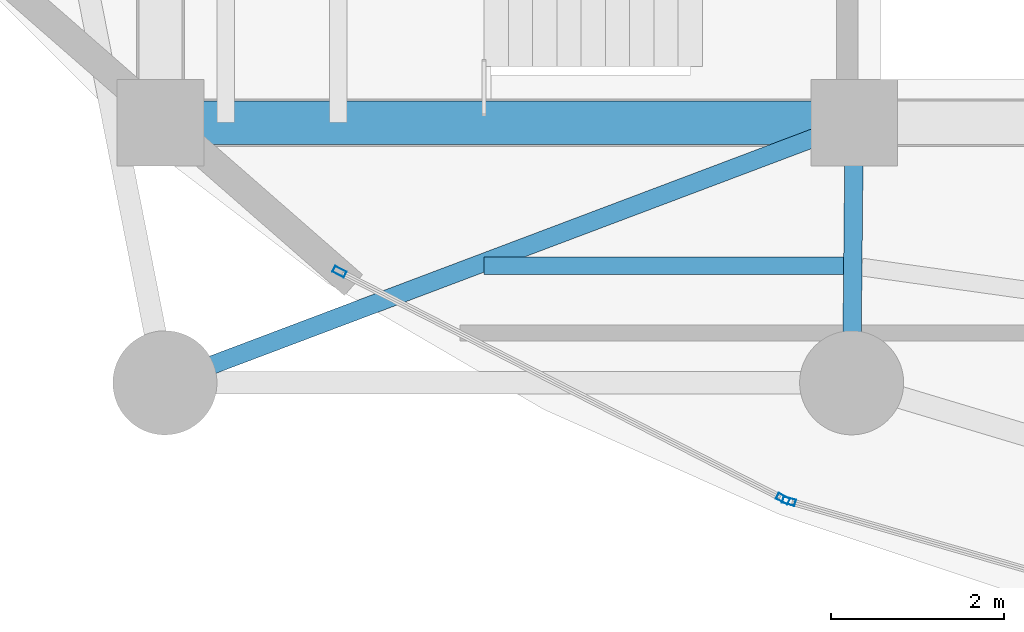
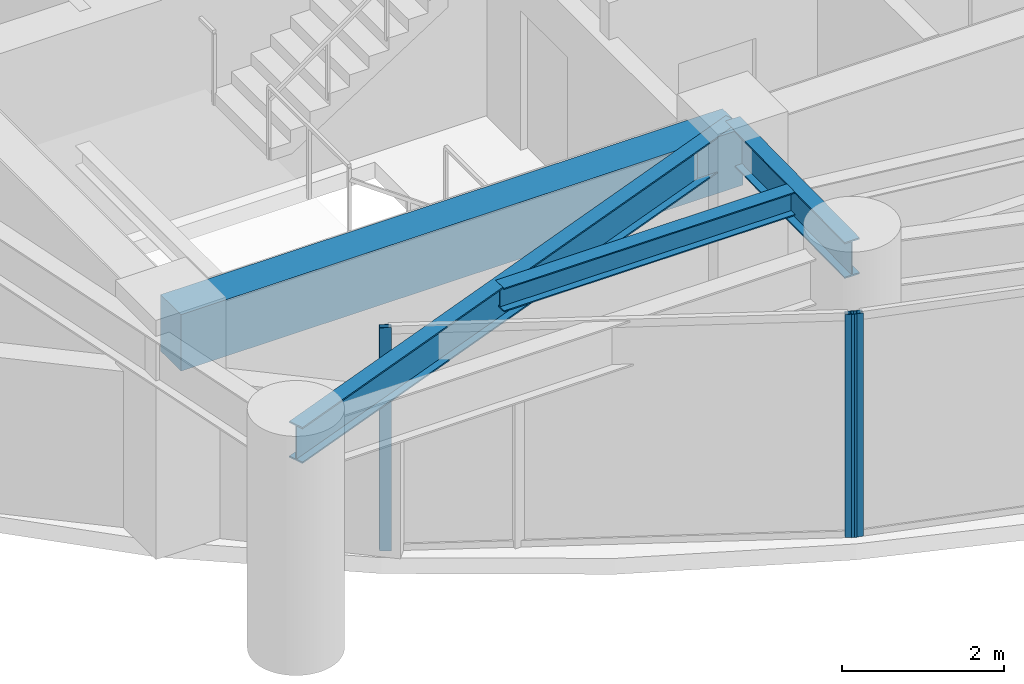
# One storey, part 2 of 31: 4 beams, 3 members, 2 elements without a shape of their own.
"""IFC4 building model written with IfcOpenShell, lengths in metres."""

from ifc_helpers import new_model, si_unit, direction, frame, origin, origin_2d, place, context, subcontext, project, spatial, rectangle, hollow_rectangle, i_section, extrude, material, layer, layer_set, material_profile, profile_set, type_object, element, aggregate, save


model = new_model("IFC4")

# Units and contexts
model_context = context("Model", 3, precision=1e-05, world=origin(), true_north=direction((0.0, 1.0)))
body_context = subcontext(model_context, "Body", "Model", "MODEL_VIEW")
ifc_project = project(units=[si_unit("LENGTHUNIT", "METRE"), si_unit("AREAUNIT", "SQUARE_METRE"), si_unit("VOLUMEUNIT", "CUBIC_METRE"), si_unit("PLANEANGLEUNIT", "RADIAN"), si_unit("MASSUNIT", "GRAM", prefix="KILO")], contexts=[model_context])

# Site, building, storey
site_placement = place(None, origin())
site = spatial("IfcSite", under=ifc_project, at=site_placement, CompositionType="ELEMENT")
building_placement = place(site_placement, origin())
building = spatial("IfcBuilding", under=site, at=building_placement, Name="Kazevale Care Tower and Concert Hall", CompositionType="ELEMENT")
storey_placement = place(building_placement, frame((0.0, 0.0, 124.199951171875)))
storey = spatial("IfcBuildingStorey", under=building, at=storey_placement, Name="L32", CompositionType="ELEMENT", Elevation=124.199951171875)

# Curtain wall, member
ifc_material_1 = material(Name="Aluminium 6063-T6 and Low-E Glass", Category="aluminium")
ifc_layer = layer(ifc_material_1, 0.179931640625)
ifc_layer_set = layer_set([ifc_layer], Name="Aluminium 6063-T6 and Low-E Glass")
curtain_wall_type = type_object("IfcCurtainWallType", Name="Sheltered Concave Balcony Curtain Wall CW-5", PredefinedType="NOTDEFINED", material=ifc_layer_set)
curtain_wall_1_placement = place(storey_placement, origin())
curtain_wall_1 = element("IfcCurtainWall", 1, at=curtain_wall_1_placement, inside=storey, type_object=curtain_wall_type, Name="cw:L32:f08", PredefinedType="NOTDEFINED")
ifc_material_2 = material(Name="Aluminium 6063-T6", Category="aluminium")
ifc_material_profile_1 = material_profile(ifc_material_2, hollow_rectangle(XDim=0.074951171875, YDim=0.14990234375, WallThickness=0.00390625, at=origin_2d()), Name="ALU75x150x4")
ifc_profile_set_1 = profile_set([ifc_material_profile_1], Name="Aluminium 6063-T6")
member_type = type_object("IfcMemberType", Name="CW-5 Mullion ALU75x150x4", PredefinedType="MULLION", material=ifc_profile_set_1)
member_1_placement = place(storey_placement, frame((29.2470703125, 19.234619140625, 0.0), z_axis=(0.0, 0.0, 1.0), x_axis=(-0.276290733172, -0.961074102639, 0.0)))
member_1 = element("IfcMember", 2, at=member_1_placement, type_object=member_type, Name="CW-5 mullion 2", PredefinedType="MULLION", context=body_context, shape_type="SweptSolid", body=[
    extrude(hollow_rectangle(XDim=0.074951171875, YDim=0.14990234375, WallThickness=0.00390625, at=origin_2d()), origin(), (0.0, 0.0, 1.0), 3.360107421875),
])
aggregate(curtain_wall_1, [member_1])

# Curtain wall, members
curtain_wall_2_placement = place(storey_placement, origin())
curtain_wall_2 = element("IfcCurtainWall", 3, at=curtain_wall_2_placement, inside=storey, type_object=curtain_wall_type, Name="cw:L32:f09", PredefinedType="NOTDEFINED")
member_2_placement = place(storey_placement, frame((29.177734375, 19.26220703125, 0.0), z_axis=(0.0, 0.0, 1.0), x_axis=(-0.455713236575, -0.890126646051, 0.0)))
member_2 = element("IfcMember", 4, at=member_2_placement, type_object=member_type, Name="CW-5 mullion 1", PredefinedType="MULLION", context=body_context, shape_type="SweptSolid", body=[
    extrude(hollow_rectangle(XDim=0.074951171875, YDim=0.14990234375, WallThickness=0.00390625, at=origin_2d()), origin(), (0.0, 0.0, 1.0), 3.360107421875),
])
member_3_placement = place(storey_placement, frame((24.0625, 21.880859375, 0.0), z_axis=(0.0, 0.0, 1.0), x_axis=(-0.455713236575, -0.890126646051, 0.0)))
member_3 = element("IfcMember", 5, at=member_3_placement, type_object=member_type, Name="CW-5 mullion 2", PredefinedType="MULLION", context=body_context, shape_type="SweptSolid", body=[
    extrude(hollow_rectangle(XDim=0.074951171875, YDim=0.14990234375, WallThickness=0.00390625, at=origin_2d()), origin(), (0.0, 0.0, 1.0), 3.360107421875),
])
aggregate(curtain_wall_2, [member_2, member_3])

# Beams
ifc_material_3 = material(Name="Concrete C60", Category="concrete")
ifc_material_profile_2 = material_profile(ifc_material_3, rectangle(XDim=0.5, YDim=0.85009765625, at=origin_2d()), Name="RC-B500x850")
ifc_profile_set_2 = profile_set([ifc_material_profile_2], Name="Concrete C60")
beam_type_1 = type_object("IfcBeamType", Name="Core Coupling Beam RC500x850", PredefinedType="LINTEL", material=ifc_profile_set_2)
beam_1_placement = place(storey_placement, frame((22.0, 23.60009765625, 2.93505859375), z_axis=(1.0, 0.0, 0.0), x_axis=(0.0, 1.0, 0.0)))
element("IfcBeam", 6, at=beam_1_placement, inside=storey, type_object=beam_type_1, Name="beam:L32:coretie:1", PredefinedType="LINTEL", context=body_context, shape_type="SweptSolid", body=[
    extrude(rectangle(XDim=0.5, YDim=0.85009765625, at=origin_2d()), origin(), (0.0, 0.0, 1.0), 8.0),
])
ifc_material_4 = material(Name="Steel ASTM A572 Gr 50", Category="steel")
ifc_material_profile_3 = material_profile(ifc_material_4, i_section(OverallWidth=0.2119140625, OverallDepth=0.5439453125, WebThickness=0.01318359375, FlangeThickness=0.021240234375, at=origin_2d()), Name="W530x123")
ifc_profile_set_3 = profile_set([ifc_material_profile_3], Name="Steel ASTM A572 Gr 50")
beam_type_2 = type_object("IfcBeamType", Name="Radial Floor Girder W530x123", PredefinedType="BEAM", material=ifc_profile_set_3)
beam_2_placement = place(storey_placement, frame((30.0, 23.60009765625, 3.088134765625), z_axis=(-0.935601002663, -0.353059150592, 0.0), x_axis=(0.353059150592, -0.935601002663, 0.0)))
element("IfcBeam", 7, at=beam_2_placement, inside=storey, type_object=beam_type_2, Name="beam:L32:rad:10", PredefinedType="BEAM", context=body_context, shape_type="SweptSolid", body=[
    extrude(i_section(OverallWidth=0.2119140625, OverallDepth=0.5439453125, WebThickness=0.01318359375, FlangeThickness=0.021240234375, at=origin_2d()), origin(), (0.0, 0.0, 1.0), 8.4970703125),
])
beam_3_placement = place(storey_placement, frame((30.0, 23.60009765625, 3.088134765625), z_axis=(-0.010009264196, -0.99994990606, 0.0), x_axis=(0.99994990606, -0.010009264196, 0.0)))
element("IfcBeam", 8, at=beam_3_placement, inside=storey, type_object=beam_type_2, Name="beam:L32:rad:11", PredefinedType="BEAM", context=body_context, shape_type="SweptSolid", body=[
    extrude(i_section(OverallWidth=0.2119140625, OverallDepth=0.5439453125, WebThickness=0.01318359375, FlangeThickness=0.021240234375, at=origin_2d()), origin(), (0.0, 0.0, 1.0), 3.000244140625),
])
ifc_material_profile_4 = material_profile(ifc_material_4, i_section(OverallWidth=0.205078125, OverallDepth=0.35400390625, WebThickness=0.009521484375, FlangeThickness=0.016845703125, at=origin_2d()), Name="W360x79")
ifc_profile_set_4 = profile_set([ifc_material_profile_4], Name="Steel ASTM A572 Gr 50")
beam_type_3 = type_object("IfcBeamType", Name="Secondary Floor Joist W360x79", PredefinedType="JOIST", material=ifc_profile_set_4)
beam_4_placement = place(storey_placement, frame((25.73291015625, 21.949951171875, 3.18310546875), z_axis=(1.0, 0.0, 0.0), x_axis=(0.0, 1.0, 0.0)))
element("IfcBeam", 9, at=beam_4_placement, inside=storey, type_object=beam_type_3, Name="beam:L32:joist:10", PredefinedType="JOIST", context=body_context, shape_type="SweptSolid", body=[
    extrude(i_section(OverallWidth=0.205078125, OverallDepth=0.35400390625, WebThickness=0.009521484375, FlangeThickness=0.016845703125, at=origin_2d()), origin(), (0.0, 0.0, 1.0), 4.14501953125),
])

save(model, "model.ifc")
